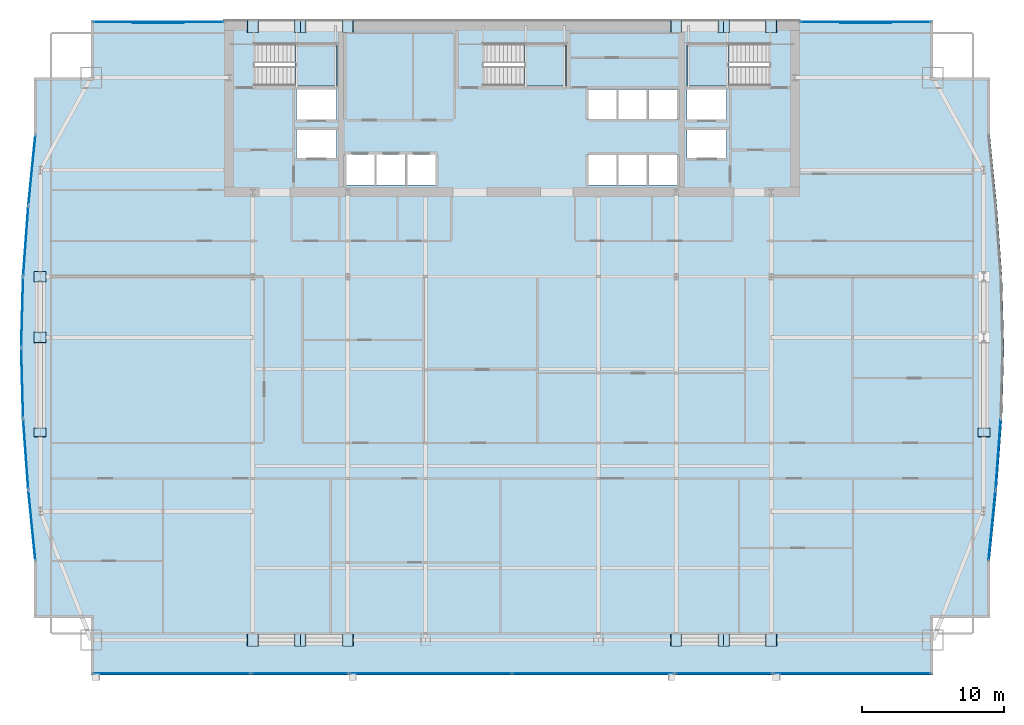
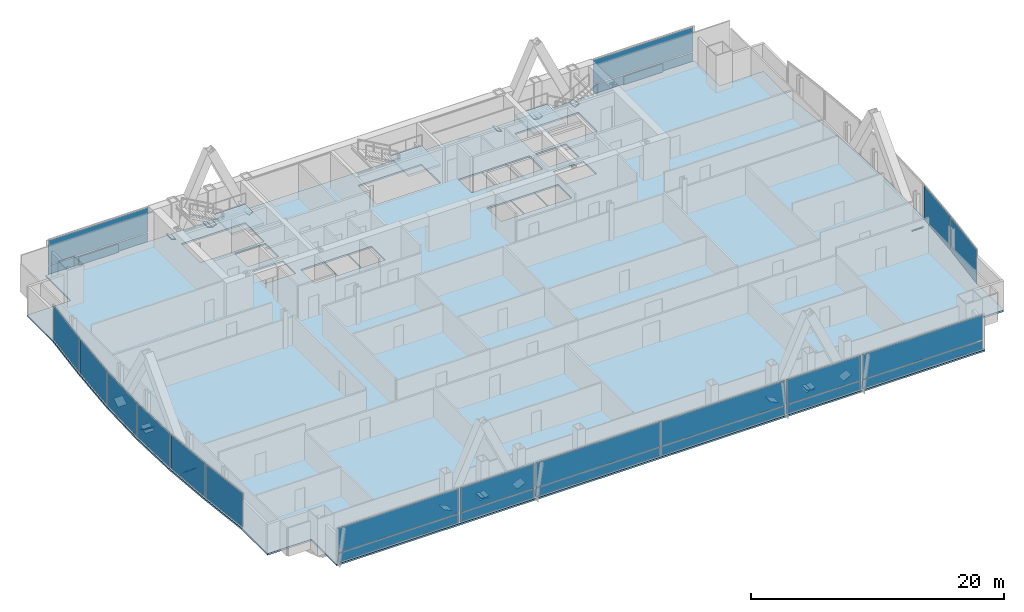
# One storey, part 24 of 31: 47 plates, 4 slabs, 18 elements without a shape of their own.
"""IFC4 building model written with IfcOpenShell, lengths in metres."""

import ifcopenshell
import ifcopenshell.guid

model = None  # the IFC model being written
_history = None  # IfcOwnerHistory: only IFC2X3 demands one
_inside = {}  # id of a spatial element -> (the spatial element, [elements in it])
_under = {}  # id of a project, library or spatial element -> (it, [spatial elements below it])
_declared = {}  # id of a project -> (the project, [libraries it declares])
_typed = {}  # id of a type object -> (the type object, [elements of that type])
_made_of = {}  # id of a material, layer set ... -> (it, [elements and type objects made of it])


def new_model(schema):
    """Start an empty IFC model of exactly this schema.

    Asked for "IFC4X3", IfcOpenShell would pick the latest addendum, in which some entities
    have other attributes; the version numbers below select the first issue.
    IFC2X3 requires an IfcOwnerHistory on every rooted entity: one is made here for all.
    """
    global model, _history
    if schema == "IFC4X3":
        model = ifcopenshell.file(schema_version=(4, 3, 0, 0))
    else:
        model = ifcopenshell.file(schema=schema)
    _inside.clear()
    _under.clear()
    _declared.clear()
    _typed.clear()
    _made_of.clear()
    _history = None
    if model.schema == "IFC2X3":
        org = make("IfcOrganization", Name="unknown")
        user = make(
            "IfcPersonAndOrganization",
            ThePerson=make("IfcPerson", FamilyName="unknown"),
            TheOrganization=org,
        )
        app = make(
            "IfcApplication",
            ApplicationDeveloper=org,
            Version="unknown",
            ApplicationFullName="unknown",
            ApplicationIdentifier="unknown",
        )
        _history = make(
            "IfcOwnerHistory",
            OwningUser=user,
            OwningApplication=app,
            ChangeAction="ADDED",
            CreationDate=0,
        )
    return model


def make(cls, **values):
    """One entity of the class cls with the attributes given. An attribute that is None is left unset."""
    return model.create_entity(
        cls, **{name: value for name, value in values.items() if value is not None}
    )


def rooted(cls, **values):
    """An entity with a GlobalId (a new one), such as an element, a storey or a relation."""
    return make(cls, GlobalId=ifcopenshell.guid.new(), OwnerHistory=_history, **values)


def si_unit(unit_type, name, prefix=None):
    """IfcSIUnit, for example si_unit("LENGTHUNIT", "METRE", prefix="MILLI")."""
    return make("IfcSIUnit", UnitType=unit_type, Prefix=prefix, Name=name)


def assignment(units):
    """IfcUnitAssignment: the units of a project."""
    return None if units is None else make("IfcUnitAssignment", Units=units)


def point(xyz):
    """IfcCartesianPoint."""
    return None if xyz is None else make("IfcCartesianPoint", Coordinates=xyz)


def direction(xyz):
    """IfcDirection."""
    return None if xyz is None else make("IfcDirection", DirectionRatios=xyz)


def frame(location, z_axis=None, x_axis=None):
    """IfcAxis2Placement3D, a coordinate frame: its origin and axes. An axis left out is left unset."""
    return make(
        "IfcAxis2Placement3D",
        Location=point(location),
        Axis=direction(z_axis),
        RefDirection=direction(x_axis),
    )


def frame_2d(location, x_axis=None):
    """IfcAxis2Placement2D, a coordinate frame in the plane: its origin and x axis."""
    return make(
        "IfcAxis2Placement2D", Location=point(location), RefDirection=direction(x_axis)
    )


def origin():
    """The frame at (0, 0, 0) with its axes left unset."""
    return frame((0.0, 0.0, 0.0))


def origin_2d():
    """The frame at (0, 0) in the plane with its x axis left unset."""
    return frame_2d((0.0, 0.0))


def place(relative_to, where):
    """IfcLocalPlacement: puts the frame where relative to a parent placement (None: the world)."""
    return make(
        "IfcLocalPlacement", PlacementRelTo=relative_to, RelativePlacement=where
    )


def context(
    kind, dimensions, precision=None, world=None, true_north=None, identifier=None
):
    """IfcGeometricRepresentationContext, for example the 3D "Model" context."""
    return make(
        "IfcGeometricRepresentationContext",
        ContextIdentifier=identifier,
        ContextType=kind,
        CoordinateSpaceDimension=dimensions,
        Precision=precision,
        WorldCoordinateSystem=world,
        TrueNorth=true_north,
    )


def subcontext(parent, identifier, kind, view, scale=None):
    """IfcGeometricRepresentationSubContext, for example "Body" below "Model"."""
    return make(
        "IfcGeometricRepresentationSubContext",
        ContextIdentifier=identifier,
        ContextType=kind,
        ParentContext=parent,
        TargetScale=scale,
        TargetView=view,
    )


def project(units=None, contexts=None):
    """IfcProject with its units and contexts."""
    return rooted(
        "IfcProject",
        Name="project",
        RepresentationContexts=contexts,
        UnitsInContext=assignment(units),
    )


def spatial(cls, under=None, at=None, **own):
    """A site, building, storey or space (cls), placed at a placement, below another one or the project."""
    s = rooted(cls, ObjectPlacement=at, **own)
    if under is not None:
        _under.setdefault(under.id(), (under, []))[1].append(s)
    return s


def polyline(points):
    """IfcPolyline through the points."""
    return make("IfcPolyline", Points=[point(p) for p in points])


def profile(cls, at=None, kind="AREA", **sizes):
    """A parametric profile (cls). Its sizes go by their IFC names, for example OverallWidth=200.0."""
    return make(cls, ProfileType=kind, Position=at, **sizes)


def rectangle(**sizes):
    """IfcRectangleProfileDef."""
    return profile("IfcRectangleProfileDef", **sizes)


def outline(outer, holes=None, kind="AREA"):
    """IfcArbitraryClosedProfileDef: a profile drawn as a closed curve; with holes, ...WithVoids."""
    if holes is None:
        return make("IfcArbitraryClosedProfileDef", ProfileType=kind, OuterCurve=outer)
    return make(
        "IfcArbitraryProfileDefWithVoids",
        ProfileType=kind,
        OuterCurve=outer,
        InnerCurves=holes,
    )


def extrude(swept, where, along, depth):
    """IfcExtrudedAreaSolid: the profile swept, set in the frame where, extruded along a direction by depth."""
    return make(
        "IfcExtrudedAreaSolid",
        SweptArea=swept,
        Position=where,
        ExtrudedDirection=direction(along),
        Depth=depth,
    )


def shape(context_of_items, identifier, shape_type, items):
    """IfcShapeRepresentation: the items that make up one representation, for example the "Body"."""
    return make(
        "IfcShapeRepresentation",
        ContextOfItems=context_of_items,
        RepresentationIdentifier=identifier,
        RepresentationType=shape_type,
        Items=items,
    )


def material(Name=None, Category=None):
    """IfcMaterial."""
    return make("IfcMaterial", Name=Name, Category=Category)


def layer(
    of_material, thickness, ventilated=None, Name=None, Category=None, Priority=None
):
    """IfcMaterialLayer: one layer of a wall or slab, of a material (None: an air gap)."""
    return make(
        "IfcMaterialLayer",
        Material=of_material,
        LayerThickness=thickness,
        IsVentilated=ventilated,
        Name=Name,
        Category=Category,
        Priority=Priority,
    )


def layer_set(layers, Name=None):
    """IfcMaterialLayerSet."""
    return make("IfcMaterialLayerSet", MaterialLayers=layers, LayerSetName=Name)


def made_of(thing, what):
    """Note that an element or type object is made of a material, layer set ...; save() writes the relation."""
    if what is not None:
        _made_of.setdefault(what.id(), (what, []))[1].append(thing)
    return thing


def type_object(cls, material=None, **own):
    """A type object (cls), such as IfcWallType, which elements share."""
    return made_of(rooted(cls, **own), material)


def element(
    cls,
    number,
    at=None,
    inside=None,
    cuts=None,
    type_object=None,
    material=None,
    context=None,
    identifier="Body",
    shape_type=None,
    held_by="IfcProductDefinitionShape",
    body=None,
    shapes=None,
    **own,
):
    """One element of the class cls, such as IfcWall. Its Tag is "e" and its number.

    at: its placement. inside: the storey or other place that contains it. cuts: it is an
    opening in that element (IfcRelVoidsElement). A single representation is given by context,
    identifier, shape_type and body (its items); several are given by shapes. held_by: the class
    of the entity that holds the representations. save() writes the other relations.
    """
    e = rooted(cls, Tag="e%d" % number, ObjectPlacement=at, **own)
    if body is not None:
        shapes = [shape(context, identifier, shape_type, body)]
    if shapes is not None:
        e.Representation = make(held_by, Representations=shapes)
    if inside is not None:
        _inside.setdefault(inside.id(), (inside, []))[1].append(e)
    if cuts is not None:
        rooted(
            "IfcRelVoidsElement", RelatingBuildingElement=cuts, RelatedOpeningElement=e
        )
    if type_object is not None:
        _typed.setdefault(type_object.id(), (type_object, []))[1].append(e)
    return made_of(e, material)


def aggregate(whole, parts):
    """IfcRelAggregates: a whole, such as a stair, and the parts it consists of."""
    return rooted("IfcRelAggregates", RelatingObject=whole, RelatedObjects=parts)


def save(model, path):
    """Write the relations noted so far, then the file.

    IfcRelAggregates (storeys below a building ...), IfcRelContainedInSpatialStructure (elements
    in a storey), IfcRelDefinesByType, IfcRelAssociatesMaterial and IfcRelDeclares: one each for
    every whole, place, type object, material and project.
    """
    for whole, parts in _under.values():
        aggregate(whole, parts)
    for where, things in _inside.values():
        rooted(
            "IfcRelContainedInSpatialStructure",
            RelatedElements=things,
            RelatingStructure=where,
        )
    for kind, things in _typed.values():
        rooted("IfcRelDefinesByType", RelatedObjects=things, RelatingType=kind)
    for what, things in _made_of.values():
        rooted("IfcRelAssociatesMaterial", RelatedObjects=things, RelatingMaterial=what)
    for by, libraries in _declared.values():
        rooted("IfcRelDeclares", RelatingContext=by, RelatedDefinitions=libraries)
    model.write(path)


model = new_model("IFC4")

# Units and contexts
model_context = context("Model", 3, precision=1e-05, world=origin(), true_north=direction((0.0, 1.0)))
body_context = subcontext(model_context, "Body", "Model", "MODEL_VIEW")
ifc_project = project(units=[si_unit("LENGTHUNIT", "METRE"), si_unit("AREAUNIT", "SQUARE_METRE"), si_unit("VOLUMEUNIT", "CUBIC_METRE"), si_unit("PLANEANGLEUNIT", "RADIAN"), si_unit("MASSUNIT", "GRAM", prefix="KILO")], contexts=[model_context])

# Site, building, storey
site_placement = place(None, origin())
site = spatial("IfcSite", under=ifc_project, at=site_placement, CompositionType="ELEMENT")
building_placement = place(site_placement, origin())
building = spatial("IfcBuilding", under=site, at=building_placement, Name="Khoronbel Lancet Exchange", CompositionType="ELEMENT")
storey_placement = place(building_placement, frame((0.0, 0.0, 129.0)))
storey = spatial("IfcBuildingStorey", under=building, at=storey_placement, Name="L31", CompositionType="ELEMENT", Elevation=129.0)

# Curtain wall, plate
ifc_material_1 = material(Name="Low-E Solar Control Insulating Glass", Category="glass")
curtain_wall_type_1 = type_object("IfcCurtainWallType", Name="CW-4", PredefinedType="NOTDEFINED", material=ifc_material_1)
curtain_wall_1_placement = place(storey_placement, origin())
curtain_wall_1 = element("IfcCurtainWall", 1, at=curtain_wall_1_placement, inside=storey, type_object=curtain_wall_type_1, Name="Unitised curtain wall CW-L31-E05", PredefinedType="NOTDEFINED")
ifc_material_2 = material(Name="Bronze-Anodised Aluminium 6063-T6", Category="aluminium")
ifc_layer_1 = layer(ifc_material_2, 0.050048828125, Name="Bronze-Anodised Aluminium 6063-T6")
ifc_layer_set_1 = layer_set([ifc_layer_1], Name="Bronze-Anodised Aluminium 6063-T6")
plate_type_1 = type_object("IfcPlateType", Name="PLT-CSP1", PredefinedType="SHEET", material=ifc_layer_set_1)
plate_1_placement = place(storey_placement, frame((2.2568359375, 23.2060546875, 0.0849609375), z_axis=(0.0, 0.0, 1.0), x_axis=(-0.073012924107, 0.997330994662, 0.0)))
plate_1 = element("IfcPlate", 2, at=plate_1_placement, type_object=plate_type_1, Name="CW4 panel 1.1", PredefinedType="CURTAIN_PANEL", context=body_context, shape_type="SweptSolid", body=[
    extrude(rectangle(XDim=4.860107421875, YDim=0.0380859375, at=origin_2d()), origin(), (0.0, 0.0, 1.0), 3.27001953125),
])
aggregate(curtain_wall_1, [plate_1])

curtain_wall_2_placement = place(storey_placement, origin())
curtain_wall_2 = element("IfcCurtainWall", 3, at=curtain_wall_2_placement, inside=storey, type_object=curtain_wall_type_1, Name="Unitised curtain wall CW-L31-E06", PredefinedType="NOTDEFINED")
plate_2_placement = place(storey_placement, frame((2.0068359375, 28.2021484375, 0.0849609375), z_axis=(0.0, 0.0, 1.0), x_axis=(-0.026794500031, 0.99964096293, 0.0)))
plate_2 = element("IfcPlate", 4, at=plate_2_placement, type_object=plate_type_1, Name="CW4 panel 1.1", PredefinedType="CURTAIN_PANEL", context=body_context, shape_type="SweptSolid", body=[
    extrude(rectangle(XDim=4.847412109375, YDim=0.0380859375, at=origin_2d()), origin(), (0.0, 0.0, 1.0), 3.27001953125),
])
aggregate(curtain_wall_2, [plate_2])

curtain_wall_3_placement = place(storey_placement, origin())
curtain_wall_3 = element("IfcCurtainWall", 5, at=curtain_wall_3_placement, inside=storey, type_object=curtain_wall_type_1, Name="Unitised curtain wall CW-L31-E07", PredefinedType="NOTDEFINED")
plate_3_placement = place(storey_placement, frame((2.0068359375, 33.19775390625, 0.0849609375), z_axis=(0.0, 0.0, 1.0), x_axis=(0.026794500031, 0.99964096293, 0.0)))
plate_3 = element("IfcPlate", 6, at=plate_3_placement, type_object=plate_type_1, Name="CW4 panel 1.1", PredefinedType="CURTAIN_PANEL", context=body_context, shape_type="SweptSolid", body=[
    extrude(rectangle(XDim=4.847412109375, YDim=0.0380859375, at=origin_2d()), origin(), (0.0, 0.0, 1.0), 3.27001953125),
])
aggregate(curtain_wall_3, [plate_3])

curtain_wall_4_placement = place(storey_placement, origin())
curtain_wall_4 = element("IfcCurtainWall", 7, at=curtain_wall_4_placement, inside=storey, type_object=curtain_wall_type_1, Name="Unitised curtain wall CW-L31-E08", PredefinedType="NOTDEFINED")
plate_4_placement = place(storey_placement, frame((2.2568359375, 38.19384765625, 0.0849609375), z_axis=(0.0, 0.0, 1.0), x_axis=(0.073012924107, 0.997330994662, 0.0)))
plate_4 = element("IfcPlate", 8, at=plate_4_placement, type_object=plate_type_1, Name="CW4 panel 1.1", PredefinedType="CURTAIN_PANEL", context=body_context, shape_type="SweptSolid", body=[
    extrude(rectangle(XDim=4.860107421875, YDim=0.0380859375, at=origin_2d()), origin(), (0.0, 0.0, 1.0), 3.27001953125),
])
aggregate(curtain_wall_4, [plate_4])

curtain_wall_type_2 = type_object("IfcCurtainWallType", Name="CW-2", PredefinedType="NOTDEFINED", material=ifc_material_1)
curtain_wall_5_placement = place(storey_placement, origin())
curtain_wall_5 = element("IfcCurtainWall", 9, at=curtain_wall_5_placement, inside=storey, type_object=curtain_wall_type_2, Name="Unitised curtain wall CW-L31-NWFLK", PredefinedType="NOTDEFINED")
plate_5_placement = place(storey_placement, frame((11.580078125, 53.550048828125, 0.0498046875), z_axis=(0.0, 0.0, 1.0), x_axis=(-1.0, 0.0, 0.0)))
plate_5 = element("IfcPlate", 10, at=plate_5_placement, type_object=plate_type_1, Name="Insulated bronze spandrel cassette CW-L31-NWFLK", PredefinedType="SHEET", context=body_context, shape_type="SweptSolid", body=[
    extrude(rectangle(XDim=3.60009765625, YDim=0.050048828125, at=origin_2d()), origin(), (0.0, 0.0, 1.0), 0.800048828125),
])

curtain_wall_6_placement = place(storey_placement, origin())
curtain_wall_6 = element("IfcCurtainWall", 11, at=curtain_wall_6_placement, inside=storey, type_object=curtain_wall_type_2, Name="Unitised curtain wall CW-L31-NEFLK", PredefinedType="NOTDEFINED")
plate_6_placement = place(storey_placement, frame((61.320068359375, 53.550048828125, 0.0498046875), z_axis=(0.0, 0.0, 1.0), x_axis=(-1.0, 0.0, 0.0)))
plate_6 = element("IfcPlate", 12, at=plate_6_placement, type_object=plate_type_1, Name="Insulated bronze spandrel cassette CW-L31-NEFLK", PredefinedType="SHEET", context=body_context, shape_type="SweptSolid", body=[
    extrude(rectangle(XDim=3.60009765625, YDim=0.050048828125, at=origin_2d()), origin(), (0.0, 0.0, 1.0), 0.800048828125),
])

curtain_wall_7_placement = place(storey_placement, origin())
curtain_wall_7 = element("IfcCurtainWall", 13, at=curtain_wall_7_placement, inside=storey, type_object=curtain_wall_type_1, Name="Unitised curtain wall CW-L31-E21", PredefinedType="NOTDEFINED")
plate_7_placement = place(storey_placement, frame((70.643310546875, 23.2060546875, 0.0849609375), z_axis=(0.0, 0.0, 1.0), x_axis=(-0.073012924107, -0.997330994662, 0.0)))
plate_7 = element("IfcPlate", 14, at=plate_7_placement, type_object=plate_type_1, Name="CW4 panel 1.1", PredefinedType="CURTAIN_PANEL", context=body_context, shape_type="SweptSolid", body=[
    extrude(rectangle(XDim=4.860107421875, YDim=0.0380859375, at=origin_2d()), origin(), (0.0, 0.0, 1.0), 3.27001953125),
])
aggregate(curtain_wall_7, [plate_7])

# Curtain wall, plates
curtain_wall_8_placement = place(storey_placement, origin())
curtain_wall_8 = element("IfcCurtainWall", 15, at=curtain_wall_8_placement, inside=storey, type_object=curtain_wall_type_2, Name="Unitised curtain wall CW-L31-SWB", PredefinedType="NOTDEFINED")
plate_8_placement = place(storey_placement, frame((21.550048828125, 7.7900390625, 0.0849609375), z_axis=(0.0, 0.0, 1.0), x_axis=(1.0, 0.0, 0.0)))
plate_8 = element("IfcPlate", 16, at=plate_8_placement, type_object=plate_type_1, Name="CW2 panel 1.1", PredefinedType="CURTAIN_PANEL", context=body_context, shape_type="SweptSolid", body=[
    extrude(rectangle(XDim=6.72998046875, YDim=0.0380859375, at=origin_2d()), origin(), (0.0, 0.0, 1.0), 0.822509765625),
])
plate_9_placement = place(storey_placement, frame((21.550048828125, 7.7900390625, 0.99267578125), z_axis=(0.0, 0.0, 1.0), x_axis=(1.0, 0.0, 0.0)))
plate_9 = element("IfcPlate", 17, at=plate_9_placement, type_object=plate_type_1, Name="CW2 panel 1.2", PredefinedType="CURTAIN_PANEL", context=body_context, shape_type="SweptSolid", body=[
    extrude(rectangle(XDim=6.72998046875, YDim=0.0380859375, at=origin_2d()), origin(), (0.0, 0.0, 1.0), 2.362548828125),
])
aggregate(curtain_wall_8, [plate_8, plate_9])

curtain_wall_9_placement = place(storey_placement, origin())
curtain_wall_9 = element("IfcCurtainWall", 18, at=curtain_wall_9_placement, inside=storey, type_object=curtain_wall_type_2, Name="Unitised curtain wall CW-L31-SEB", PredefinedType="NOTDEFINED")
plate_10_placement = place(storey_placement, frame((51.35009765625, 7.7900390625, 0.0849609375), z_axis=(0.0, 0.0, 1.0), x_axis=(1.0, 0.0, 0.0)))
plate_10 = element("IfcPlate", 19, at=plate_10_placement, type_object=plate_type_1, Name="CW2 panel 1.1", PredefinedType="CURTAIN_PANEL", context=body_context, shape_type="SweptSolid", body=[
    extrude(rectangle(XDim=6.72998046875, YDim=0.0380859375, at=origin_2d()), origin(), (0.0, 0.0, 1.0), 0.822509765625),
])
plate_11_placement = place(storey_placement, frame((51.35009765625, 7.7900390625, 0.99267578125), z_axis=(0.0, 0.0, 1.0), x_axis=(1.0, 0.0, 0.0)))
plate_11 = element("IfcPlate", 20, at=plate_11_placement, type_object=plate_type_1, Name="CW2 panel 1.2", PredefinedType="CURTAIN_PANEL", context=body_context, shape_type="SweptSolid", body=[
    extrude(rectangle(XDim=6.72998046875, YDim=0.0380859375, at=origin_2d()), origin(), (0.0, 0.0, 1.0), 2.362548828125),
])
aggregate(curtain_wall_9, [plate_10, plate_11])

# Plate
ifc_layer_2 = layer(ifc_material_1, 0.035888671875, Name="Low-E Solar Control Insulating Glass")
ifc_layer_set_2 = layer_set([ifc_layer_2], Name="Low-E Solar Control Insulating Glass")
plate_type_2 = type_object("IfcPlateType", Name="PLT-CWP1", PredefinedType="CURTAIN_PANEL", material=ifc_layer_set_2)
plate_12_placement = place(storey_placement, frame((11.580078125, 53.610107421875, 0.0849609375), z_axis=(0.0, 0.0, 1.0), x_axis=(-1.0, 0.0, 0.0)))
plate_12 = element("IfcPlate", 21, at=plate_12_placement, type_object=plate_type_2, Name="CW2 panel 1.1", PredefinedType="CURTAIN_PANEL", context=body_context, shape_type="SweptSolid", body=[
    extrude(rectangle(XDim=9.110107421875, YDim=0.0380859375, at=origin_2d()), origin(), (0.0, 0.0, 1.0), 0.822509765625),
])

plate_13_placement = place(storey_placement, frame((11.580078125, 53.610107421875, 0.99267578125), z_axis=(0.0, 0.0, 1.0), x_axis=(-1.0, 0.0, 0.0)))
plate_13 = element("IfcPlate", 22, at=plate_13_placement, type_object=plate_type_2, Name="CW2 panel 1.2", PredefinedType="CURTAIN_PANEL", context=body_context, shape_type="SweptSolid", body=[
    extrude(rectangle(XDim=9.110107421875, YDim=0.0380859375, at=origin_2d()), origin(), (0.0, 0.0, 1.0), 2.362548828125),
])

aggregate(curtain_wall_5, [plate_12, plate_13, plate_5])

plate_14_placement = place(storey_placement, frame((61.320068359375, 53.610107421875, 0.0849609375), z_axis=(0.0, 0.0, 1.0), x_axis=(-1.0, 0.0, 0.0)))
plate_14 = element("IfcPlate", 23, at=plate_14_placement, type_object=plate_type_2, Name="CW2 panel 1.1", PredefinedType="CURTAIN_PANEL", context=body_context, shape_type="SweptSolid", body=[
    extrude(rectangle(XDim=9.110107421875, YDim=0.0380859375, at=origin_2d()), origin(), (0.0, 0.0, 1.0), 0.822509765625),
])

plate_15_placement = place(storey_placement, frame((61.320068359375, 53.610107421875, 0.99267578125), z_axis=(0.0, 0.0, 1.0), x_axis=(-1.0, 0.0, 0.0)))
plate_15 = element("IfcPlate", 24, at=plate_15_placement, type_object=plate_type_2, Name="CW2 panel 1.2", PredefinedType="CURTAIN_PANEL", context=body_context, shape_type="SweptSolid", body=[
    extrude(rectangle(XDim=9.110107421875, YDim=0.0380859375, at=origin_2d()), origin(), (0.0, 0.0, 1.0), 2.362548828125),
])

aggregate(curtain_wall_6, [plate_14, plate_15, plate_6])

# Curtain wall, plates
curtain_wall_10_placement = place(storey_placement, origin())
curtain_wall_10 = element("IfcCurtainWall", 25, at=curtain_wall_10_placement, inside=storey, type_object=curtain_wall_type_2, Name="Unitised curtain wall CW-L31-SWV", PredefinedType="NOTDEFINED")
plate_16_placement = place(storey_placement, frame((12.52001953125, 7.7900390625, 0.0849609375), z_axis=(0.0, 0.0, 1.0), x_axis=(1.0, 0.0, 0.0)))
plate_16 = element("IfcPlate", 26, at=plate_16_placement, type_object=plate_type_2, Name="CW2 panel 1.1", PredefinedType="CURTAIN_PANEL", context=body_context, shape_type="SweptSolid", body=[
    extrude(rectangle(XDim=10.989990234375, YDim=0.0380859375, at=origin_2d()), origin(), (0.0, 0.0, 1.0), 0.822509765625),
])
plate_17_placement = place(storey_placement, frame((12.52001953125, 7.7900390625, 0.99267578125), z_axis=(0.0, 0.0, 1.0), x_axis=(1.0, 0.0, 0.0)))
plate_17 = element("IfcPlate", 27, at=plate_17_placement, type_object=plate_type_2, Name="CW2 panel 1.2", PredefinedType="CURTAIN_PANEL", context=body_context, shape_type="SweptSolid", body=[
    extrude(rectangle(XDim=10.989990234375, YDim=0.0380859375, at=origin_2d()), origin(), (0.0, 0.0, 1.0), 2.362548828125),
])
aggregate(curtain_wall_10, [plate_16, plate_17])

curtain_wall_11_placement = place(storey_placement, origin())
curtain_wall_11 = element("IfcCurtainWall", 28, at=curtain_wall_11_placement, inside=storey, type_object=curtain_wall_type_2, Name="Unitised curtain wall CW-L31-SCV", PredefinedType="NOTDEFINED")
plate_18_placement = place(storey_placement, frame((30.746337890625, 7.7900390625, 0.0849609375), z_axis=(0.0, 0.0, 1.0), x_axis=(1.0, 0.0, 0.0)))
plate_18 = element("IfcPlate", 29, at=plate_18_placement, type_object=plate_type_2, Name="CW2 panel 1.1", PredefinedType="CURTAIN_PANEL", context=body_context, shape_type="SweptSolid", body=[
    extrude(rectangle(XDim=11.322509765625, YDim=0.0380859375, at=origin_2d()), origin(), (0.0, 0.0, 1.0), 0.822509765625),
])
plate_19_placement = place(storey_placement, frame((30.746337890625, 7.7900390625, 0.99267578125), z_axis=(0.0, 0.0, 1.0), x_axis=(1.0, 0.0, 0.0)))
plate_19 = element("IfcPlate", 30, at=plate_19_placement, type_object=plate_type_2, Name="CW2 panel 1.2", PredefinedType="CURTAIN_PANEL", context=body_context, shape_type="SweptSolid", body=[
    extrude(rectangle(XDim=11.322509765625, YDim=0.0380859375, at=origin_2d()), origin(), (0.0, 0.0, 1.0), 2.362548828125),
])
plate_20_placement = place(storey_placement, frame((42.15380859375, 7.7900390625, 0.0849609375), z_axis=(0.0, 0.0, 1.0), x_axis=(1.0, 0.0, 0.0)))
plate_20 = element("IfcPlate", 31, at=plate_20_placement, type_object=plate_type_2, Name="CW2 panel 2.1", PredefinedType="CURTAIN_PANEL", context=body_context, shape_type="SweptSolid", body=[
    extrude(rectangle(XDim=11.322509765625, YDim=0.0380859375, at=origin_2d()), origin(), (0.0, 0.0, 1.0), 0.822509765625),
])
plate_21_placement = place(storey_placement, frame((42.15380859375, 7.7900390625, 0.99267578125), z_axis=(0.0, 0.0, 1.0), x_axis=(1.0, 0.0, 0.0)))
plate_21 = element("IfcPlate", 32, at=plate_21_placement, type_object=plate_type_2, Name="CW2 panel 2.2", PredefinedType="CURTAIN_PANEL", context=body_context, shape_type="SweptSolid", body=[
    extrude(rectangle(XDim=11.322509765625, YDim=0.0380859375, at=origin_2d()), origin(), (0.0, 0.0, 1.0), 2.362548828125),
])
aggregate(curtain_wall_11, [plate_18, plate_19, plate_20, plate_21])

curtain_wall_12_placement = place(storey_placement, origin())
curtain_wall_12 = element("IfcCurtainWall", 33, at=curtain_wall_12_placement, inside=storey, type_object=curtain_wall_type_2, Name="Unitised curtain wall CW-L31-SEV", PredefinedType="NOTDEFINED")
plate_22_placement = place(storey_placement, frame((60.3798828125, 7.7900390625, 0.0849609375), z_axis=(0.0, 0.0, 1.0), x_axis=(1.0, 0.0, 0.0)))
plate_22 = element("IfcPlate", 34, at=plate_22_placement, type_object=plate_type_2, Name="CW2 panel 1.1", PredefinedType="CURTAIN_PANEL", context=body_context, shape_type="SweptSolid", body=[
    extrude(rectangle(XDim=10.989990234375, YDim=0.0380859375, at=origin_2d()), origin(), (0.0, 0.0, 1.0), 0.822509765625),
])
plate_23_placement = place(storey_placement, frame((60.3798828125, 7.7900390625, 0.99267578125), z_axis=(0.0, 0.0, 1.0), x_axis=(1.0, 0.0, 0.0)))
plate_23 = element("IfcPlate", 35, at=plate_23_placement, type_object=plate_type_2, Name="CW2 panel 1.2", PredefinedType="CURTAIN_PANEL", context=body_context, shape_type="SweptSolid", body=[
    extrude(rectangle(XDim=10.989990234375, YDim=0.0380859375, at=origin_2d()), origin(), (0.0, 0.0, 1.0), 2.362548828125),
])
aggregate(curtain_wall_12, [plate_22, plate_23])

# Curtain wall, plate
curtain_wall_13_placement = place(storey_placement, origin())
curtain_wall_13 = element("IfcCurtainWall", 36, at=curtain_wall_13_placement, inside=storey, type_object=curtain_wall_type_1, Name="Unitised curtain wall CW-L31-E04", PredefinedType="NOTDEFINED")
ifc_material_3 = material(Name="Ceramic-Fritted Laminated Insulating Glass", Category="glass")
ifc_layer_3 = layer(ifc_material_3, 0.0419921875, Name="Ceramic-Fritted Laminated Insulating Glass")
ifc_layer_set_3 = layer_set([ifc_layer_3], Name="Ceramic-Fritted Laminated Insulating Glass")
plate_type_3 = type_object("IfcPlateType", Name="PLT-CWP2", PredefinedType="CURTAIN_PANEL", material=ifc_layer_set_3)
plate_24_placement = place(storey_placement, frame((2.68994140625, 18.2060546875, 0.0849609375), z_axis=(0.0, 0.0, 1.0), x_axis=(-0.099497811805, 0.995037780914, 0.0)))
plate_24 = element("IfcPlate", 37, at=plate_24_placement, type_object=plate_type_3, Name="CW4 panel 1.1", PredefinedType="CURTAIN_PANEL", context=body_context, shape_type="SweptSolid", body=[
    extrude(rectangle(XDim=4.878173828125, YDim=0.0380859375, at=origin_2d()), origin(), (0.0, 0.0, 1.0), 3.27001953125),
])
aggregate(curtain_wall_13, [plate_24])

curtain_wall_14_placement = place(storey_placement, origin())
curtain_wall_14 = element("IfcCurtainWall", 38, at=curtain_wall_14_placement, inside=storey, type_object=curtain_wall_type_1, Name="Unitised curtain wall CW-L31-E09", PredefinedType="NOTDEFINED")
plate_25_placement = place(storey_placement, frame((2.68994140625, 43.19384765625, 0.0849609375), z_axis=(0.0, 0.0, 1.0), x_axis=(0.099497811805, 0.995037780914, 0.0)))
plate_25 = element("IfcPlate", 39, at=plate_25_placement, type_object=plate_type_3, Name="CW4 panel 1.1", PredefinedType="CURTAIN_PANEL", context=body_context, shape_type="SweptSolid", body=[
    extrude(rectangle(XDim=4.878173828125, YDim=0.0380859375, at=origin_2d()), origin(), (0.0, 0.0, 1.0), 3.27001953125),
])
aggregate(curtain_wall_14, [plate_25])

curtain_wall_15_placement = place(storey_placement, origin())
curtain_wall_15 = element("IfcCurtainWall", 40, at=curtain_wall_15_placement, inside=storey, type_object=curtain_wall_type_1, Name="Unitised curtain wall CW-L31-E22", PredefinedType="NOTDEFINED")
plate_26_placement = place(storey_placement, frame((70.210205078125, 18.2060546875, 0.0849609375), z_axis=(0.0, 0.0, 1.0), x_axis=(-0.099497811805, -0.995037780914, 0.0)))
plate_26 = element("IfcPlate", 41, at=plate_26_placement, type_object=plate_type_3, Name="CW4 panel 1.1", PredefinedType="CURTAIN_PANEL", context=body_context, shape_type="SweptSolid", body=[
    extrude(rectangle(XDim=4.878173828125, YDim=0.0380859375, at=origin_2d()), origin(), (0.0, 0.0, 1.0), 3.27001953125),
])
aggregate(curtain_wall_15, [plate_26])

# Plates
ifc_material_4 = material(Name="Steel S460", Category="steel")
ifc_layer_4 = layer(ifc_material_4, 0.044921875, Name="Steel S460")
ifc_layer_set_4 = layer_set([ifc_layer_4], Name="Steel S460")
plate_type_4 = type_object("IfcPlateType", Name="PLT-ECP1", PredefinedType="USERDEFINED", material=ifc_layer_set_4)
for number, where, z_axis, x_axis, name in (
    (42, (21.9736328125, 9.72998046875, -0.092529296875), (0.295229109279, 0.0, 0.955426487509), (0.0, 1.0, 0.0), "Hollow end cap plate PLT-CAP-MEM-MB-T09-S-W-L-1"),
    (43, (21.1513671875, 10.570068359375, -0.092529296875), (-0.295229109279, 0.0, 0.955426487509), (0.0, -1.0, 0.0), "Hollow end cap plate PLT-CAP-MEM-MB-T09-S-W-R-1"),
):
    element("IfcPlate", number, at=place(storey_placement, frame(where, z_axis=z_axis, x_axis=x_axis)), inside=storey, type_object=plate_type_4, Name=name, ObjectType="STIFFENER_PLATE", PredefinedType="USERDEFINED", context=body_context, shape_type="SweptSolid", body=[
        extrude(outline(polyline([(0.0, 0.0), (0.840087890625, 0.0), (0.840087890625, 0.840087890625), (0.0, 0.840087890625), (0.0, 0.0)])), origin(), (0.0, 0.0, -1.0), 0.044921875),
    ])
for number, where, z_axis, x_axis, name in (
    (44, (51.74853515625, 9.72998046875, -0.092529296875), (0.295311094723, 0.0, 0.955401149954), (0.0, 1.0, 0.0), "Hollow end cap plate PLT-CAP-MEM-MB-T09-S-E-L-1"),
    (45, (50.926513671875, 10.570068359375, -0.092529296875), (-0.295311094723, 0.0, 0.955401149954), (0.0, -1.0, 0.0), "Hollow end cap plate PLT-CAP-MEM-MB-T09-S-E-R-1"),
):
    element("IfcPlate", number, at=place(storey_placement, frame(where, z_axis=z_axis, x_axis=x_axis)), inside=storey, type_object=plate_type_4, Name=name, ObjectType="STIFFENER_PLATE", PredefinedType="USERDEFINED", context=body_context, shape_type="SweptSolid", body=[
        extrude(outline(polyline([(0.0, 0.0), (0.840087890625, 0.0), (0.840087890625, 0.83984375), (0.0, 0.83984375), (0.0, 0.0)])), origin(), (0.0, 0.0, -1.0), 0.044921875),
    ])
for number, where, z_axis, x_axis, name in (
    (46, (21.9736328125, 52.860107421875, -0.092529296875), (0.295229109279, 0.0, 0.955426487509), (0.0, 1.0, 0.0), "Hollow end cap plate PLT-CAP-MEM-MB-T09-N-W-L-1"),
    (47, (21.1513671875, 53.699951171875, -0.092529296875), (-0.295229109279, 0.0, 0.955426487509), (0.0, -1.0, 0.0), "Hollow end cap plate PLT-CAP-MEM-MB-T09-N-W-R-1"),
):
    element("IfcPlate", number, at=place(storey_placement, frame(where, z_axis=z_axis, x_axis=x_axis)), inside=storey, type_object=plate_type_4, Name=name, ObjectType="STIFFENER_PLATE", PredefinedType="USERDEFINED", context=body_context, shape_type="SweptSolid", body=[
        extrude(outline(polyline([(0.0, 0.0), (0.83984375, 0.0), (0.83984375, 0.840087890625), (0.0, 0.840087890625), (0.0, 0.0)])), origin(), (0.0, 0.0, -1.0), 0.044921875),
    ])
for number, where, z_axis, x_axis, name in (
    (48, (51.74853515625, 52.860107421875, -0.092529296875), (0.295311094723, 0.0, 0.955401149954), (0.0, 1.0, 0.0), "Hollow end cap plate PLT-CAP-MEM-MB-T09-N-E-L-1"),
    (49, (50.926513671875, 53.699951171875, -0.092529296875), (-0.295311094723, 0.0, 0.955401149954), (0.0, -1.0, 0.0), "Hollow end cap plate PLT-CAP-MEM-MB-T09-N-E-R-1"),
    (50, (3.68994140625, 31.799560546875, -0.192626953125), (0.0, 0.525523821634, 0.850778886019), (-1.0, 0.0, 0.0), "Hollow end cap plate PLT-CAP-MEM-MB-T09-W-P-L-1"),
    (51, (2.85009765625, 31.0224609375, -0.123779296875), (0.0, -0.367980392152, 0.929833550154), (1.0, 0.0, 0.0), "Hollow end cap plate PLT-CAP-MEM-MB-T09-W-P-R-1"),
):
    element("IfcPlate", number, at=place(storey_placement, frame(where, z_axis=z_axis, x_axis=x_axis)), inside=storey, type_object=plate_type_4, Name=name, ObjectType="STIFFENER_PLATE", PredefinedType="USERDEFINED", context=body_context, shape_type="SweptSolid", body=[
        extrude(outline(polyline([(0.0, 0.0), (0.83984375, 0.0), (0.83984375, 0.83984375), (0.0, 0.83984375), (0.0, 0.0)])), origin(), (0.0, 0.0, -1.0), 0.044921875),
    ])
for number, where, z_axis, x_axis, name in (
    (52, (18.611083984375, 9.72998046875, -0.165771484375), (0.420513526922, 0.0, 0.907286268867), (0.0, 1.0, 0.0), "Hollow end cap plate PLT-CAP-MEM-MB-T10-S-W-L-0"),
    (53, (24.513916015625, 10.570068359375, -0.165771484375), (-0.420513526922, 0.0, 0.907286268867), (0.0, -1.0, 0.0), "Hollow end cap plate PLT-CAP-MEM-MB-T10-S-W-R-0"),
):
    element("IfcPlate", number, at=place(storey_placement, frame(where, z_axis=z_axis, x_axis=x_axis)), inside=storey, type_object=plate_type_4, Name=name, ObjectType="STIFFENER_PLATE", PredefinedType="USERDEFINED", context=body_context, shape_type="SweptSolid", body=[
        extrude(outline(polyline([(0.0, 0.0), (0.840087890625, 0.0), (0.840087890625, 0.840087890625), (0.0, 0.840087890625), (0.0, 0.0)])), origin(), (0.0, 0.0, -1.0), 0.044921875),
    ])
plate_27_placement = place(storey_placement, frame((48.385986328125, 9.72998046875, -0.165771484375), z_axis=(0.420624428562, 0.0, 0.907234859393), x_axis=(0.0, 1.0, 0.0)))
element("IfcPlate", 54, at=plate_27_placement, inside=storey, type_object=plate_type_4, Name="Hollow end cap plate PLT-CAP-MEM-MB-T10-S-E-L-0", ObjectType="STIFFENER_PLATE", PredefinedType="USERDEFINED", context=body_context, shape_type="SweptSolid", body=[
    extrude(outline(polyline([(0.0, 0.0), (0.840087890625, 0.0), (0.840087890625, 0.83984375), (0.0, 0.83984375), (0.0, 0.0)])), origin(), (0.0, 0.0, -1.0), 0.044921875),
])
plate_28_placement = place(storey_placement, frame((54.288818359375, 10.570068359375, -0.165771484375), z_axis=(-0.420513526922, 0.0, 0.907286268867), x_axis=(0.0, -1.0, 0.0)))
element("IfcPlate", 55, at=plate_28_placement, inside=storey, type_object=plate_type_4, Name="Hollow end cap plate PLT-CAP-MEM-MB-T10-S-E-R-0", ObjectType="STIFFENER_PLATE", PredefinedType="USERDEFINED", context=body_context, shape_type="SweptSolid", body=[
    extrude(outline(polyline([(0.0, 0.0), (0.840087890625, 0.0), (0.840087890625, 0.840087890625), (0.0, 0.840087890625), (0.0, 0.0)])), origin(), (0.0, 0.0, -1.0), 0.044921875),
])
for number, where, z_axis, x_axis, name in (
    (56, (18.611083984375, 52.860107421875, -0.165771484375), (0.420513526922, 0.0, 0.907286268867), (0.0, 1.0, 0.0), "Hollow end cap plate PLT-CAP-MEM-MB-T10-N-W-L-0"),
    (57, (24.513916015625, 53.699951171875, -0.165771484375), (-0.420513526922, 0.0, 0.907286268867), (0.0, -1.0, 0.0), "Hollow end cap plate PLT-CAP-MEM-MB-T10-N-W-R-0"),
):
    element("IfcPlate", number, at=place(storey_placement, frame(where, z_axis=z_axis, x_axis=x_axis)), inside=storey, type_object=plate_type_4, Name=name, ObjectType="STIFFENER_PLATE", PredefinedType="USERDEFINED", context=body_context, shape_type="SweptSolid", body=[
        extrude(outline(polyline([(0.0, 0.0), (0.83984375, 0.0), (0.83984375, 0.840087890625), (0.0, 0.840087890625), (0.0, 0.0)])), origin(), (0.0, 0.0, -1.0), 0.044921875),
    ])
plate_29_placement = place(storey_placement, frame((48.385986328125, 52.860107421875, -0.165771484375), z_axis=(0.420624428562, 0.0, 0.907234859393), x_axis=(0.0, 1.0, 0.0)))
element("IfcPlate", 58, at=plate_29_placement, inside=storey, type_object=plate_type_4, Name="Hollow end cap plate PLT-CAP-MEM-MB-T10-N-E-L-0", ObjectType="STIFFENER_PLATE", PredefinedType="USERDEFINED", context=body_context, shape_type="SweptSolid", body=[
    extrude(outline(polyline([(0.0, 0.0), (0.83984375, 0.0), (0.83984375, 0.83984375), (0.0, 0.83984375), (0.0, 0.0)])), origin(), (0.0, 0.0, -1.0), 0.044921875),
])
for number, where, z_axis, x_axis, name in (
    (59, (54.288818359375, 53.699951171875, -0.165771484375), (-0.420513526922, 0.0, 0.907286268867), (0.0, -1.0, 0.0), "Hollow end cap plate PLT-CAP-MEM-MB-T10-N-E-R-0"),
    (60, (3.68994140625, 25.066162109375, -0.27685546875), (0.0, 0.680016266041, 0.733197025308), (-1.0, 0.0, 0.0), "Hollow end cap plate PLT-CAP-MEM-MB-T10-W-P-L-0"),
):
    element("IfcPlate", number, at=place(storey_placement, frame(where, z_axis=z_axis, x_axis=x_axis)), inside=storey, type_object=plate_type_4, Name=name, ObjectType="STIFFENER_PLATE", PredefinedType="USERDEFINED", context=body_context, shape_type="SweptSolid", body=[
        extrude(outline(polyline([(0.0, 0.0), (0.83984375, 0.0), (0.83984375, 0.840087890625), (0.0, 0.840087890625), (0.0, 0.0)])), origin(), (0.0, 0.0, -1.0), 0.044921875),
    ])
plate_30_placement = place(storey_placement, frame((2.85009765625, 35.332763671875, -0.2041015625), z_axis=(0.0, -0.510686489136, 0.859767009029), x_axis=(1.0, 0.0, 0.0)))
element("IfcPlate", 61, at=plate_30_placement, inside=storey, type_object=plate_type_4, Name="Hollow end cap plate PLT-CAP-MEM-MB-T10-W-P-R-0", ObjectType="STIFFENER_PLATE", PredefinedType="USERDEFINED", context=body_context, shape_type="SweptSolid", body=[
    extrude(outline(polyline([(0.0, 0.0), (0.83984375, 0.0), (0.83984375, 0.83984375), (0.0, 0.83984375), (0.0, 0.0)])), origin(), (0.0, 0.0, -1.0), 0.044921875),
])
plate_31_placement = place(storey_placement, frame((70.050048828125, 25.066162109375, -0.27685546875), z_axis=(0.0, 0.680016266041, 0.733197025308), x_axis=(-1.0, 0.0, 0.0)))
element("IfcPlate", 62, at=plate_31_placement, inside=storey, type_object=plate_type_4, Name="Hollow end cap plate PLT-CAP-MEM-MB-T10-E-P-L-0", ObjectType="STIFFENER_PLATE", PredefinedType="USERDEFINED", context=body_context, shape_type="SweptSolid", body=[
    extrude(outline(polyline([(0.0, 0.0), (0.840087890625, 0.0), (0.840087890625, 0.840087890625), (0.0, 0.840087890625), (0.0, 0.0)])), origin(), (0.0, 0.0, -1.0), 0.044921875),
])

# Slab
ifc_material_5 = material(Name="Concrete C40/50", Category="concrete")
ifc_layer_5 = layer(ifc_material_5, 0.159912109375, Name="Concrete C40/50")
ifc_layer_set_5 = layer_set([ifc_layer_5], Name="Concrete C40/50")
slab_type_1 = type_object("IfcSlabType", Name="SL-FL160", PredefinedType="FLOOR", material=ifc_layer_set_5)
slab_1_placement = place(storey_placement, frame((0.0, 0.0, -0.159912109375)))
element("IfcSlab", 63, at=slab_1_placement, inside=storey, type_object=slab_type_1, Name="Level L31 composite structural floor slab", PredefinedType="FLOOR", context=body_context, shape_type="SweptSolid", body=[
    extrude(outline(polyline([(6.85009765625, 7.699951171875), (66.050048828125, 7.699951171875), (66.050048828125, 11.699951171875), (70.050048828125, 11.699951171875), (70.050048828125, 15.699951171875), (70.550048828125, 20.699951171875), (70.916015625, 25.699951171875), (71.050048828125, 30.699951171875), (70.916015625, 35.699951171875), (70.550048828125, 40.699951171875), (70.050048828125, 45.699951171875), (70.050048828125, 49.699951171875), (66.050048828125, 49.699951171875), (66.050048828125, 53.699951171875), (6.85009765625, 53.699951171875), (6.85009765625, 49.699951171875), (2.85009765625, 49.699951171875), (2.85009765625, 45.699951171875), (2.35009765625, 40.699951171875), (1.98388671875, 35.699951171875), (1.85009765625, 30.699951171875), (1.98388671875, 25.699951171875), (2.35009765625, 20.699951171875), (2.85009765625, 15.699951171875), (2.85009765625, 11.699951171875), (6.85009765625, 11.699951171875), (6.85009765625, 7.699951171875)]), holes=[polyline([(18.324951171875, 49.1201171875), (24.14990234375, 49.1201171875), (24.14990234375, 52.10009765625), (18.324951171875, 52.10009765625), (18.324951171875, 49.1201171875)]), polyline([(48.75, 49.1201171875), (54.574951171875, 49.1201171875), (54.574951171875, 52.10009765625), (48.75, 52.10009765625), (48.75, 49.1201171875)]), polyline([(34.425048828125, 49.1201171875), (40.25, 49.1201171875), (40.25, 52.10009765625), (34.425048828125, 52.10009765625), (34.425048828125, 49.1201171875)]), polyline([(24.699951171875, 42.14990234375), (26.840087890625, 42.14990234375), (26.840087890625, 44.300048828125), (24.699951171875, 44.300048828125), (24.699951171875, 42.14990234375)]), polyline([(26.860107421875, 42.14990234375), (29.0, 42.14990234375), (29.0, 44.300048828125), (26.860107421875, 44.300048828125), (26.860107421875, 42.14990234375)]), polyline([(29.02001953125, 42.14990234375), (31.159912109375, 42.14990234375), (31.159912109375, 44.300048828125), (29.02001953125, 44.300048828125), (29.02001953125, 42.14990234375)]), polyline([(41.739990234375, 46.75), (43.8798828125, 46.75), (43.8798828125, 48.85009765625), (41.739990234375, 48.85009765625), (41.739990234375, 46.75)]), polyline([(43.89990234375, 46.75), (46.0400390625, 46.75), (46.0400390625, 48.85009765625), (43.89990234375, 48.85009765625), (43.89990234375, 46.75)]), polyline([(46.06005859375, 46.75), (48.199951171875, 46.75), (48.199951171875, 48.85009765625), (46.06005859375, 48.85009765625), (46.06005859375, 46.75)]), polyline([(41.739990234375, 42.14990234375), (43.8798828125, 42.14990234375), (43.8798828125, 44.300048828125), (41.739990234375, 44.300048828125), (41.739990234375, 42.14990234375)]), polyline([(43.89990234375, 42.14990234375), (46.0400390625, 42.14990234375), (46.0400390625, 44.300048828125), (43.89990234375, 44.300048828125), (43.89990234375, 42.14990234375)]), polyline([(46.06005859375, 42.14990234375), (48.199951171875, 42.14990234375), (48.199951171875, 44.300048828125), (46.06005859375, 44.300048828125), (46.06005859375, 42.14990234375)]), polyline([(21.300048828125, 46.75), (24.10009765625, 46.75), (24.10009765625, 48.85009765625), (21.300048828125, 48.85009765625), (21.300048828125, 46.75)]), polyline([(48.75, 46.75), (51.550048828125, 46.75), (51.550048828125, 48.85009765625), (48.75, 48.85009765625), (48.75, 46.75)]), polyline([(21.300048828125, 44.050048828125), (24.10009765625, 44.050048828125), (24.10009765625, 46.050048828125), (21.300048828125, 46.050048828125), (21.300048828125, 44.050048828125)]), polyline([(48.75, 44.050048828125), (51.550048828125, 44.050048828125), (51.550048828125, 46.050048828125), (48.75, 46.050048828125), (48.75, 44.050048828125)])]), origin(), (0.0, 0.0, 1.0), 0.159912109375),
])

# Stair, slab
stair_type = type_object("IfcStairType", Name="STR-CORE150", PredefinedType="HALF_TURN_STAIR", material=ifc_material_5)
stair_1_placement = place(storey_placement, origin())
stair_1 = element("IfcStair", 64, at=stair_1_placement, inside=storey, type_object=stair_type, Name="L31 Protected Exit Stair ST1", PredefinedType="HALF_TURN_STAIR")
ifc_layer_6 = layer(ifc_material_5, 0.199951171875, Name="Concrete C40/50")
ifc_layer_set_6 = layer_set([ifc_layer_6], Name="Concrete C40/50")
slab_type_2 = type_object("IfcSlabType", Name="SL-LND180", PredefinedType="LANDING", material=ifc_layer_set_6)
slab_2_placement = place(storey_placement, frame((0.0, 0.0, 1.60009765625)))
slab_2 = element("IfcSlab", 65, at=slab_2_placement, type_object=slab_type_2, Name="ST1 landing 1", PredefinedType="LANDING", context=body_context, shape_type="SweptSolid", body=[
    extrude(outline(polyline([(21.199951171875, 49.1201171875), (24.14990234375, 49.1201171875), (24.14990234375, 52.10009765625), (21.199951171875, 52.10009765625), (21.199951171875, 49.1201171875)])), origin(), (0.0, 0.0, 1.0), 0.199951171875),
])
aggregate(stair_1, [slab_2])

stair_2_placement = place(storey_placement, origin())
stair_2 = element("IfcStair", 66, at=stair_2_placement, inside=storey, type_object=stair_type, Name="L31 Protected Exit Stair ST2", PredefinedType="HALF_TURN_STAIR")
slab_3_placement = place(storey_placement, frame((0.0, 0.0, 1.60009765625)))
slab_3 = element("IfcSlab", 67, at=slab_3_placement, type_object=slab_type_2, Name="ST2 landing 1", PredefinedType="LANDING", context=body_context, shape_type="SweptSolid", body=[
    extrude(outline(polyline([(51.699951171875, 52.10009765625), (48.75, 52.10009765625), (48.75, 49.1201171875), (51.699951171875, 49.1201171875), (51.699951171875, 52.10009765625)])), origin(), (0.0, 0.0, 1.0), 0.199951171875),
])
aggregate(stair_2, [slab_3])

stair_3_placement = place(storey_placement, origin())
stair_3 = element("IfcStair", 68, at=stair_3_placement, inside=storey, type_object=stair_type, Name="L31 Protected Exit Stair ST3", PredefinedType="HALF_TURN_STAIR")
slab_4_placement = place(storey_placement, frame((0.0, 0.0, 1.60009765625)))
slab_4 = element("IfcSlab", 69, at=slab_4_placement, type_object=slab_type_2, Name="ST3 landing 1", PredefinedType="LANDING", context=body_context, shape_type="SweptSolid", body=[
    extrude(outline(polyline([(37.300048828125, 49.1201171875), (40.25, 49.1201171875), (40.25, 52.10009765625), (37.300048828125, 52.10009765625), (37.300048828125, 49.1201171875)])), origin(), (0.0, 0.0, 1.0), 0.199951171875),
])
aggregate(stair_3, [slab_4])

save(model, "model.ifc")
